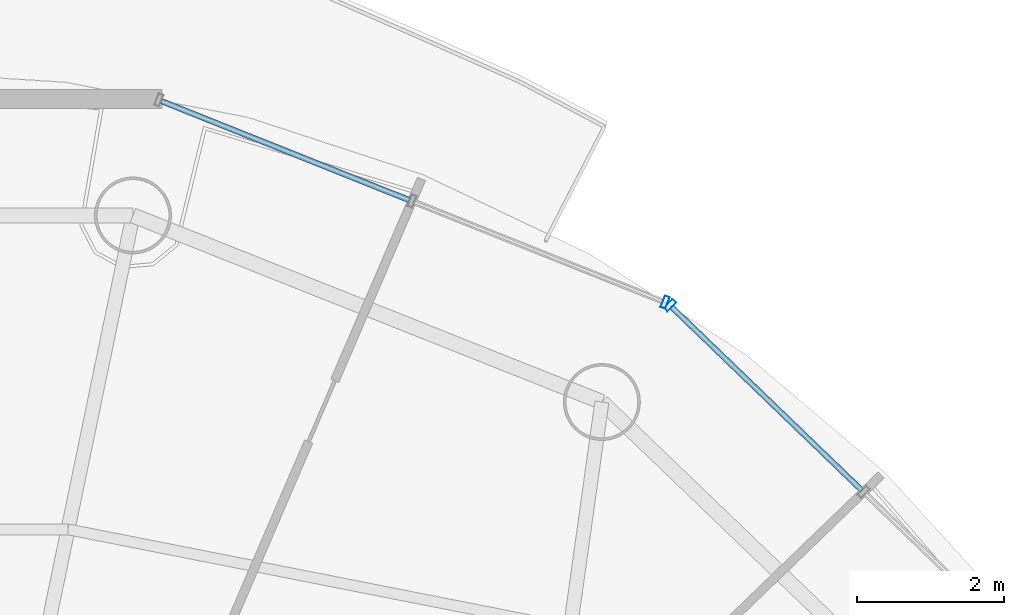
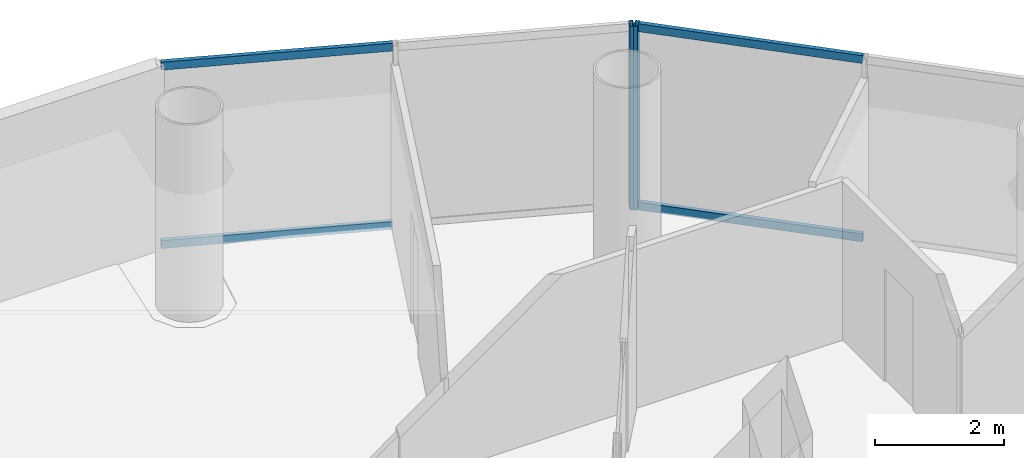
# One storey, part 15 of 23: 6 members, 2 elements without a shape of their own.
"""IFC4 building model written with IfcOpenShell, lengths in metres."""

from ifc_helpers import new_model, si_unit, direction, frame, origin, origin_2d, place, context, subcontext, project, spatial, hollow_rectangle, extrude, source, transform, mapped, material, material_profile, profile_set, type_object, element, aggregate, save


model = new_model("IFC4")

# Units and contexts
model_context = context("Model", 3, precision=1e-05, world=origin(), true_north=direction((-0.2419218956, 0.970295726276)))
body_context = subcontext(model_context, "Body", "Model", "MODEL_VIEW")
ifc_project = project(units=[si_unit("LENGTHUNIT", "METRE"), si_unit("AREAUNIT", "SQUARE_METRE"), si_unit("VOLUMEUNIT", "CUBIC_METRE"), si_unit("PLANEANGLEUNIT", "RADIAN"), si_unit("MASSUNIT", "GRAM", prefix="KILO")], contexts=[model_context])

# Site, building, storey
site_placement = place(None, origin())
site = spatial("IfcSite", under=ifc_project, at=site_placement, CompositionType="ELEMENT")
building_placement = place(site_placement, origin())
building = spatial("IfcBuilding", under=site, at=building_placement, Name="Cobrevalo Terracotta Tower", CompositionType="ELEMENT")
storey_placement = place(building_placement, frame((0.0, 0.0, 263.199951171875)))
storey = spatial("IfcBuildingStorey", under=building, at=storey_placement, Name="L69", CompositionType="ELEMENT", Elevation=263.199951171875)

# Curtain wall, member
ifc_material = material(Name="Anodized aluminium", Category="aluminium")
curtain_wall_type = type_object("IfcCurtainWallType", Name="Upper-tower triple-glazed penthouse curtain wall CW-U3", PredefinedType="NOTDEFINED", material=ifc_material)
curtain_wall_1_placement = place(storey_placement, origin())
curtain_wall_1 = element("IfcCurtainWall", 1, at=curtain_wall_1_placement, inside=storey, type_object=curtain_wall_type, Name="L69 curtain wall CW-L69-S02", PredefinedType="NOTDEFINED")
ifc_material_profile_1 = material_profile(ifc_material, hollow_rectangle(XDim=0.070068359375, YDim=0.169921875, WallThickness=0.00439453125, at=origin_2d()), Name="CWM 70x170")
ifc_profile_set_1 = profile_set([ifc_material_profile_1], Name="Anodized aluminium")
member_type_1 = type_object("IfcMemberType", Name="Upper tower unitised mullion 70x170", PredefinedType="MULLION", material=ifc_profile_set_1)
shared_shape_1 = source(origin(), body_context, "Body", "SweptSolid", [
    extrude(hollow_rectangle(XDim=0.070068359375, YDim=0.169921875, WallThickness=0.00439453125, at=origin_2d()), origin(), (0.0, 0.0, 1.0), 3.489990234375),
])
member_1_placement = place(storey_placement, frame((48.790283203125, 42.2958984375, 0.0), z_axis=(0.0, 0.0, 1.0), x_axis=(-0.71999418085, 0.69398010025, 0.0)))
member_1 = element("IfcMember", 2, at=member_1_placement, type_object=member_type_1, Name="CW-L69-S02 vertical mullion 03", PredefinedType="MULLION", context=body_context, shape_type="MappedRepresentation", body=[
    mapped(shared_shape_1, transform((0.0, 0.0, 0.0), scale=1.0)),
])

curtain_wall_2_placement = place(storey_placement, origin())
curtain_wall_2 = element("IfcCurtainWall", 3, at=curtain_wall_2_placement, inside=storey, type_object=curtain_wall_type, Name="L69 curtain wall CW-L69-S03", PredefinedType="NOTDEFINED")
member_2_placement = place(storey_placement, frame((48.724365234375, 42.33837890625, 0.0), z_axis=(0.0, 0.0, 1.0), x_axis=(-0.928718980883, 0.370784377433, 0.0)))
member_2 = element("IfcMember", 4, at=member_2_placement, type_object=member_type_1, Name="CW-L69-S03 vertical mullion 01", PredefinedType="MULLION", context=body_context, shape_type="MappedRepresentation", body=[
    mapped(shared_shape_1, transform((0.0, 0.0, 0.0), scale=1.0)),
])

# Member
ifc_material_profile_2 = material_profile(ifc_material, hollow_rectangle(XDim=0.074951171875, YDim=0.14990234375, WallThickness=0.00439453125, at=origin_2d()), Name="CWT 75x150")
ifc_profile_set_2 = profile_set([ifc_material_profile_2], Name="Anodized aluminium")
member_type_2 = type_object("IfcMemberType", Name="Tower unitised aluminium transom 75x150", PredefinedType="USERDEFINED", material=ifc_profile_set_2)
shared_shape_2 = source(origin(), body_context, "Body", "SweptSolid", [
    extrude(hollow_rectangle(XDim=0.074951171875, YDim=0.14990234375, WallThickness=0.00439453125, at=origin_2d()), origin(), (0.0, 0.0, 1.0), 3.59130859375),
])
member_3_placement = place(storey_placement, frame((51.40478515625, 39.77587890625, 0.050048828125), z_axis=(-0.720005628362, 0.693968223427, 0.0), x_axis=(-0.693968223427, -0.720005628362, 0.0)))
member_3 = element("IfcMember", 5, at=member_3_placement, type_object=member_type_2, Name="CW-L69-S02 transom B02-T1", ObjectType="TRANSOM", PredefinedType="USERDEFINED", context=body_context, shape_type="MappedRepresentation", body=[
    mapped(shared_shape_2, transform((0.0, 0.0, 0.0), scale=1.0)),
])

member_4_placement = place(storey_placement, frame((51.40478515625, 39.77587890625, 3.43994140625), z_axis=(-0.720005628362, 0.693968223427, 0.0), x_axis=(-0.693968223427, -0.720005628362, 0.0)))
member_4 = element("IfcMember", 6, at=member_4_placement, type_object=member_type_2, Name="CW-L69-S02 transom B02-T2", ObjectType="TRANSOM", PredefinedType="USERDEFINED", context=body_context, shape_type="MappedRepresentation", body=[
    mapped(shared_shape_2, transform((0.0, 0.0, 0.0), scale=1.0)),
])

aggregate(curtain_wall_1, [member_1, member_3, member_4])

shared_shape_3 = source(origin(), body_context, "Body", "SweptSolid", [
    extrude(hollow_rectangle(XDim=0.074951171875, YDim=0.14990234375, WallThickness=0.00439453125, at=origin_2d()), origin(), (0.0, 0.0, 1.0), 3.63916015625),
])
member_5_placement = place(storey_placement, frame((45.23291015625, 43.732177734375, 0.050048828125), z_axis=(-0.928712471544, 0.370800681227, 0.0), x_axis=(-0.370800681227, -0.928712471544, 0.0)))
member_5 = element("IfcMember", 7, at=member_5_placement, type_object=member_type_2, Name="CW-L69-S03 transom B02-T1", ObjectType="TRANSOM", PredefinedType="USERDEFINED", context=body_context, shape_type="MappedRepresentation", body=[
    mapped(shared_shape_3, transform((0.0, 0.0, 0.0), scale=1.0)),
])

member_6_placement = place(storey_placement, frame((45.23291015625, 43.732177734375, 3.43994140625), z_axis=(-0.928712471544, 0.370800681227, 0.0), x_axis=(-0.370800681227, -0.928712471544, 0.0)))
member_6 = element("IfcMember", 8, at=member_6_placement, type_object=member_type_2, Name="CW-L69-S03 transom B02-T2", ObjectType="TRANSOM", PredefinedType="USERDEFINED", context=body_context, shape_type="MappedRepresentation", body=[
    mapped(shared_shape_3, transform((0.0, 0.0, 0.0), scale=1.0)),
])

aggregate(curtain_wall_2, [member_2, member_5, member_6])

save(model, "model.ifc")
